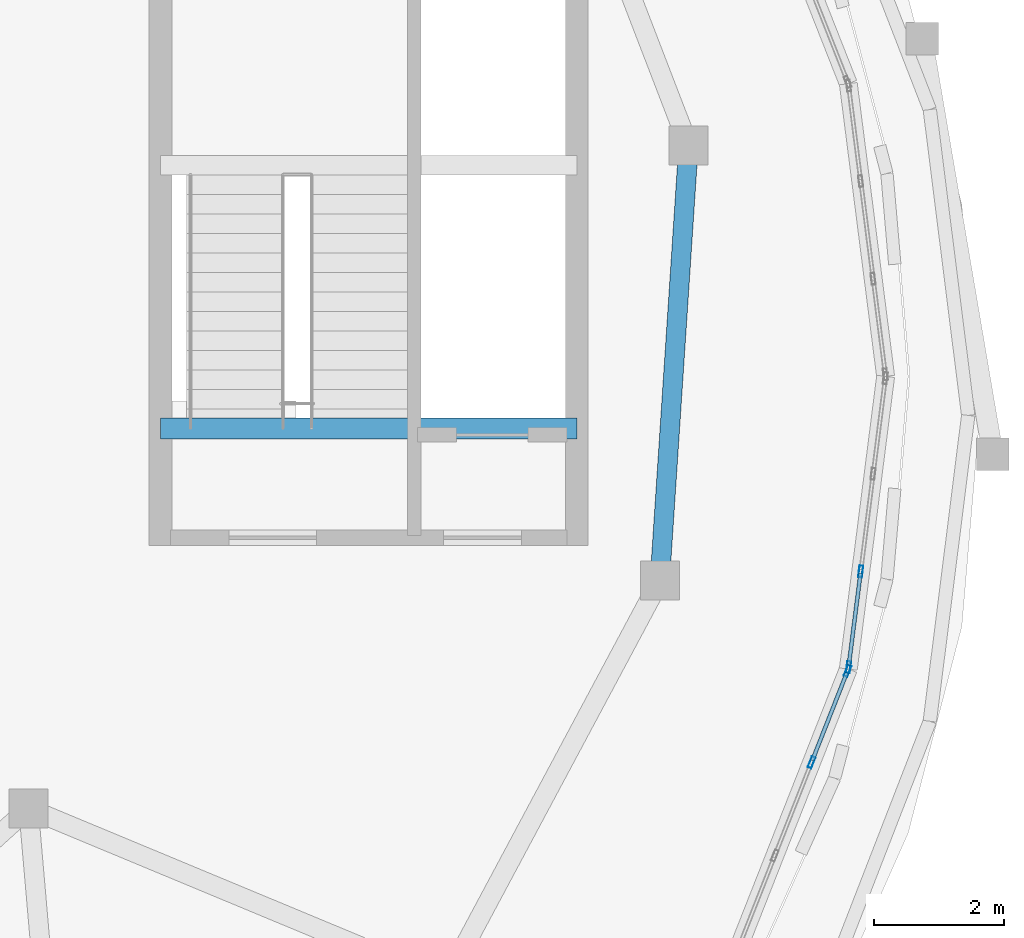
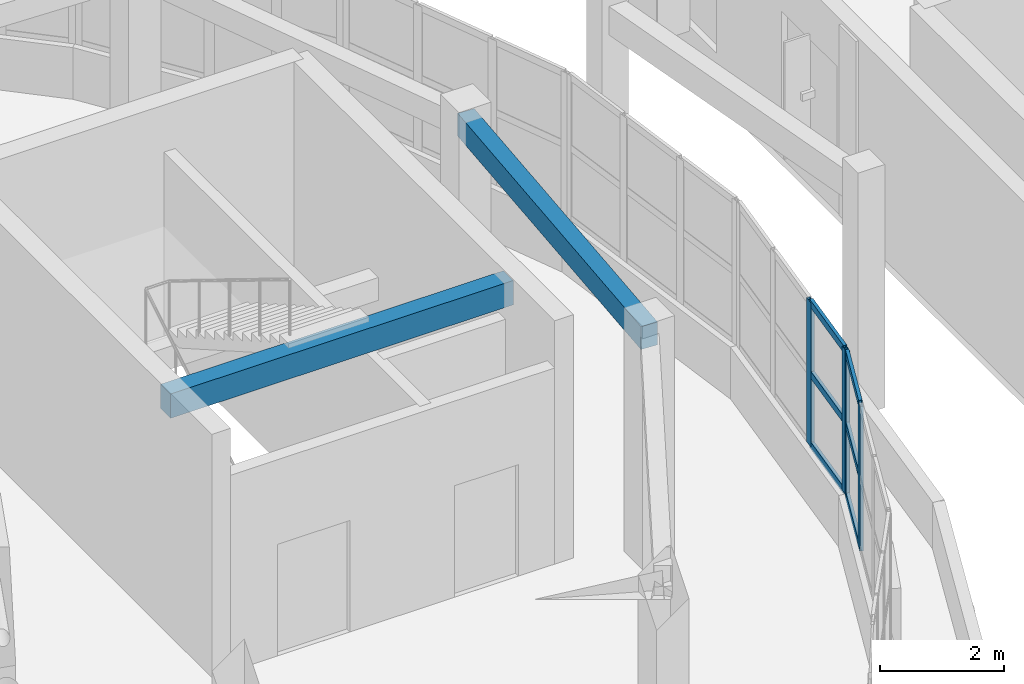
# One storey, part 26 of 69: 10 members, 2 beams, 2 elements without a shape of their own.
"""IFC4 building model written with IfcOpenShell, lengths in metres."""

from ifc_helpers import new_model, si_unit, direction, frame, origin, origin_2d, place, context, subcontext, project, spatial, rectangle, hollow_rectangle, extrude, material, layer, layer_set, material_profile, profile_set, type_object, element, aggregate, save


model = new_model("IFC4")

# Units and contexts
model_context = context("Model", 3, precision=1e-05, world=origin(), true_north=direction((0.0, 1.0)))
body_context = subcontext(model_context, "Body", "Model", "MODEL_VIEW")
ifc_project = project(units=[si_unit("LENGTHUNIT", "METRE"), si_unit("AREAUNIT", "SQUARE_METRE"), si_unit("VOLUMEUNIT", "CUBIC_METRE"), si_unit("PLANEANGLEUNIT", "RADIAN"), si_unit("MASSUNIT", "GRAM", prefix="KILO")], contexts=[model_context])

# Site, building, storey
site_placement = place(None, origin())
site = spatial("IfcSite", under=ifc_project, at=site_placement, CompositionType="ELEMENT")
building_placement = place(site_placement, origin())
building = spatial("IfcBuilding", under=site, at=building_placement, Name="Pelvatis Terrace Science Centre", CompositionType="ELEMENT")
storey_placement = place(building_placement, frame((0.0, 0.0, 15.0)))
storey = spatial("IfcBuildingStorey", under=building, at=storey_placement, Name="L03", CompositionType="ELEMENT", Elevation=15.0)

# Beams
ifc_material_1 = material(Name="Concrete C35/45", Category="concrete")
ifc_material_profile_1 = material_profile(ifc_material_1, rectangle(XDim=0.300048828125, YDim=0.449951171875, at=origin_2d()), Name="RC-BM 300x450")
ifc_profile_set_1 = profile_set([ifc_material_profile_1], Name="Concrete C35/45")
beam_type_1 = type_object("IfcBeamType", Name="BM-RC-300x450", PredefinedType="BEAM", material=ifc_profile_set_1)
beam_1_placement = place(storey_placement, frame((133.31884765625, 87.552001953125, 4.324951171875), z_axis=(-0.065837804337, -0.997830338044, 0.0), x_axis=(0.997830338044, -0.065837804337, 0.0)))
element("IfcBeam", 1, at=beam_1_placement, inside=storey, type_object=beam_type_1, Name="Beam BM-L03-3010", PredefinedType="BEAM", context=body_context, shape_type="SweptSolid", body=[
    extrude(rectangle(XDim=0.300048828125, YDim=0.449951171875, at=origin_2d()), origin(), (0.0, 0.0, 1.0), 6.708251953125),
])
ifc_material_2 = material(Name="Concrete C35/45", Category="concrete")
ifc_material_profile_2 = material_profile(ifc_material_2, rectangle(XDim=0.320068359375, YDim=0.47998046875, at=origin_2d()), Name="RC-BM 320x480")
ifc_profile_set_2 = profile_set([ifc_material_profile_2], Name="Concrete C35/45")
beam_type_2 = type_object("IfcBeamType", Name="BM-RC-320x480", PredefinedType="BEAM", material=ifc_profile_set_2)
beam_2_placement = place(storey_placement, frame((125.199951171875, 83.199951171875, 4.300048828125), z_axis=(1.0, 0.0, 0.0), x_axis=(0.0, 1.0, 0.0)))
element("IfcBeam", 2, at=beam_2_placement, inside=storey, type_object=beam_type_2, Name="Core C2 stair header beam (L03)", PredefinedType="BEAM", context=body_context, shape_type="SweptSolid", body=[
    extrude(rectangle(XDim=0.320068359375, YDim=0.47998046875, at=origin_2d()), origin(), (0.0, 0.0, 1.0), 6.400146484375),
])

# Curtain wall, members
ifc_material_3 = material(Name="Bronze-anodised aluminium and laminated glass", Category="aluminium")
ifc_layer = layer(ifc_material_3, 0.179931640625)
ifc_layer_set = layer_set([ifc_layer], Name="Bronze-anodised aluminium and laminated glass")
curtain_wall_type = type_object("IfcCurtainWallType", Name="CW-RIBBON-A", PredefinedType="NOTDEFINED", material=ifc_layer_set)
curtain_wall_1_placement = place(storey_placement, origin())
curtain_wall_1 = element("IfcCurtainWall", 3, at=curtain_wall_1_placement, inside=storey, type_object=curtain_wall_type, Name="Ribbon curtain wall CW-211 (L03)", PredefinedType="NOTDEFINED")
ifc_material_4 = material(Name="Bronze-anodised aluminium 6063-T6", Category="aluminium")
ifc_material_profile_3 = material_profile(ifc_material_4, hollow_rectangle(XDim=0.06005859375, YDim=0.179931640625, WallThickness=0.00390625, at=origin_2d()), Name="ALU-MUL 60x180")
ifc_profile_set_3 = profile_set([ifc_material_profile_3], Name="Bronze-anodised aluminium 6063-T6")
member_type_1 = type_object("IfcMemberType", Name="CWM-60x180", PredefinedType="MULLION", material=ifc_profile_set_3)
member_1_placement = place(storey_placement, frame((135.211181640625, 78.06396484375, 1.02001953125), z_axis=(0.0, 0.0, 1.0), x_axis=(-0.930401915157, 0.366540961248, 0.0)))
member_1 = element("IfcMember", 4, at=member_1_placement, type_object=member_type_1, Name="CW-211 mullion 3", PredefinedType="MULLION", context=body_context, shape_type="SweptSolid", body=[
    extrude(hollow_rectangle(XDim=0.06005859375, YDim=0.179931640625, WallThickness=0.00390625, at=origin_2d()), origin(), (0.0, 0.0, 1.0), 2.85009765625),
])
member_2_placement = place(storey_placement, frame((135.765380859375, 79.470703125, 1.02001953125), z_axis=(0.0, 0.0, 1.0), x_axis=(-0.930401915157, 0.366540961248, 0.0)))
member_2 = element("IfcMember", 5, at=member_2_placement, type_object=member_type_1, Name="CW-211 mullion 4", PredefinedType="MULLION", context=body_context, shape_type="SweptSolid", body=[
    extrude(hollow_rectangle(XDim=0.06005859375, YDim=0.179931640625, WallThickness=0.00390625, at=origin_2d()), origin(), (0.0, 0.0, 1.0), 2.85009765625),
])

curtain_wall_2_placement = place(storey_placement, origin())
curtain_wall_2 = element("IfcCurtainWall", 6, at=curtain_wall_2_placement, inside=storey, type_object=curtain_wall_type, Name="Ribbon curtain wall CW-212 (L03)", PredefinedType="NOTDEFINED")
member_3_placement = place(storey_placement, frame((135.7802734375, 79.528564453125, 1.02001953125), z_axis=(0.0, 0.0, 1.0), x_axis=(-0.991978378597, 0.126407659563, 0.0)))
member_3 = element("IfcMember", 7, at=member_3_placement, type_object=member_type_1, Name="CW-212 mullion 1", PredefinedType="MULLION", context=body_context, shape_type="SweptSolid", body=[
    extrude(hollow_rectangle(XDim=0.06005859375, YDim=0.179931640625, WallThickness=0.00390625, at=origin_2d()), origin(), (0.0, 0.0, 1.0), 2.85009765625),
])
member_4_placement = place(storey_placement, frame((135.967529296875, 80.9990234375, 1.02001953125), z_axis=(0.0, 0.0, 1.0), x_axis=(-0.991978378597, 0.126407659563, 0.0)))
member_4 = element("IfcMember", 8, at=member_4_placement, type_object=member_type_1, Name="CW-212 mullion 2", PredefinedType="MULLION", context=body_context, shape_type="SweptSolid", body=[
    extrude(hollow_rectangle(XDim=0.06005859375, YDim=0.179931640625, WallThickness=0.00390625, at=origin_2d()), origin(), (0.0, 0.0, 1.0), 2.85009765625),
])

# Member
ifc_material_5 = material(Name="Bronze-anodised aluminium 6063-T6", Category="aluminium")
ifc_material_profile_4 = material_profile(ifc_material_5, hollow_rectangle(XDim=0.06005859375, YDim=0.139892578125, WallThickness=0.00390625, at=origin_2d()), Name="ALU-TRN 60x140")
ifc_profile_set_4 = profile_set([ifc_material_profile_4], Name="Bronze-anodised aluminium 6063-T6")
member_type_2 = type_object("IfcMemberType", Name="CWT-60x140", PredefinedType="USERDEFINED", material=ifc_profile_set_4)
member_5_placement = place(storey_placement, frame((135.22216796875, 78.091796875, 1.050048828125), z_axis=(0.366515697741, 0.930411867567, 0.0), x_axis=(-0.930411867567, 0.366515697741, 0.0)))
member_5 = element("IfcMember", 9, at=member_5_placement, type_object=member_type_2, Name="CW-211 transom 3.1", ObjectType="TRANSOM", PredefinedType="USERDEFINED", context=body_context, shape_type="SweptSolid", body=[
    extrude(hollow_rectangle(XDim=0.06005859375, YDim=0.139892578125, WallThickness=0.00390625, at=origin_2d()), origin(), (0.0, 0.0, 1.0), 1.4521484375),
])

member_6_placement = place(storey_placement, frame((135.22216796875, 78.091796875, 2.445068359375), z_axis=(0.366515697741, 0.930411867567, 0.0), x_axis=(-0.930411867567, 0.366515697741, 0.0)))
member_6 = element("IfcMember", 10, at=member_6_placement, type_object=member_type_2, Name="CW-211 transom 3.2", ObjectType="TRANSOM", PredefinedType="USERDEFINED", context=body_context, shape_type="SweptSolid", body=[
    extrude(hollow_rectangle(XDim=0.06005859375, YDim=0.139892578125, WallThickness=0.00390625, at=origin_2d()), origin(), (0.0, 0.0, 1.0), 1.4521484375),
])

member_7_placement = place(storey_placement, frame((135.22216796875, 78.091796875, 3.840087890625), z_axis=(0.366515697741, 0.930411867567, 0.0), x_axis=(-0.930411867567, 0.366515697741, 0.0)))
member_7 = element("IfcMember", 11, at=member_7_placement, type_object=member_type_2, Name="CW-211 transom 3.3", ObjectType="TRANSOM", PredefinedType="USERDEFINED", context=body_context, shape_type="SweptSolid", body=[
    extrude(hollow_rectangle(XDim=0.06005859375, YDim=0.139892578125, WallThickness=0.00390625, at=origin_2d()), origin(), (0.0, 0.0, 1.0), 1.4521484375),
])

aggregate(curtain_wall_1, [member_1, member_2, member_5, member_6, member_7])

member_8_placement = place(storey_placement, frame((135.783935546875, 79.55810546875, 1.050048828125), z_axis=(0.126463044856, 0.991971319286, 0.0), x_axis=(-0.991971319286, 0.126463044856, 0.0)))
member_8 = element("IfcMember", 12, at=member_8_placement, type_object=member_type_2, Name="CW-212 transom 1.1", ObjectType="TRANSOM", PredefinedType="USERDEFINED", context=body_context, shape_type="SweptSolid", body=[
    extrude(hollow_rectangle(XDim=0.06005859375, YDim=0.139892578125, WallThickness=0.00390625, at=origin_2d()), origin(), (0.0, 0.0, 1.0), 1.4228515625),
])

member_9_placement = place(storey_placement, frame((135.783935546875, 79.55810546875, 2.445068359375), z_axis=(0.126463044856, 0.991971319286, 0.0), x_axis=(-0.991971319286, 0.126463044856, 0.0)))
member_9 = element("IfcMember", 13, at=member_9_placement, type_object=member_type_2, Name="CW-212 transom 1.2", ObjectType="TRANSOM", PredefinedType="USERDEFINED", context=body_context, shape_type="SweptSolid", body=[
    extrude(hollow_rectangle(XDim=0.06005859375, YDim=0.139892578125, WallThickness=0.00390625, at=origin_2d()), origin(), (0.0, 0.0, 1.0), 1.4228515625),
])

member_10_placement = place(storey_placement, frame((135.783935546875, 79.55810546875, 3.840087890625), z_axis=(0.126463044856, 0.991971319286, 0.0), x_axis=(-0.991971319286, 0.126463044856, 0.0)))
member_10 = element("IfcMember", 14, at=member_10_placement, type_object=member_type_2, Name="CW-212 transom 1.3", ObjectType="TRANSOM", PredefinedType="USERDEFINED", context=body_context, shape_type="SweptSolid", body=[
    extrude(hollow_rectangle(XDim=0.06005859375, YDim=0.139892578125, WallThickness=0.00390625, at=origin_2d()), origin(), (0.0, 0.0, 1.0), 1.4228515625),
])

aggregate(curtain_wall_2, [member_3, member_4, member_8, member_9, member_10])

save(model, "model.ifc")
